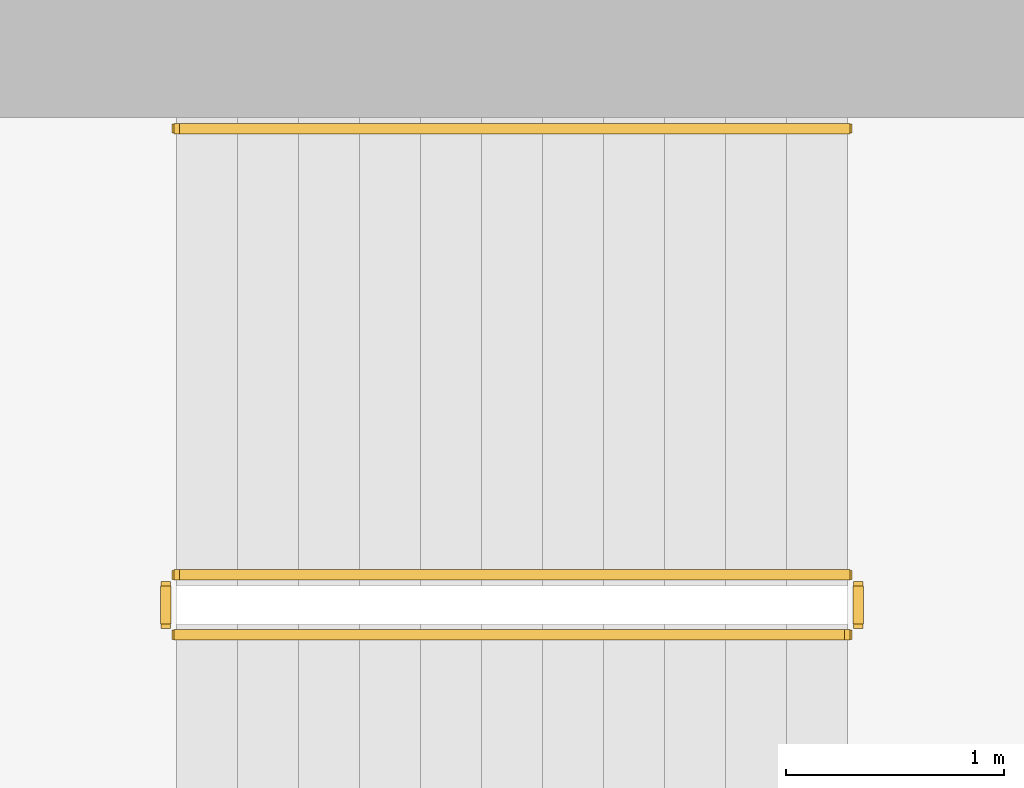
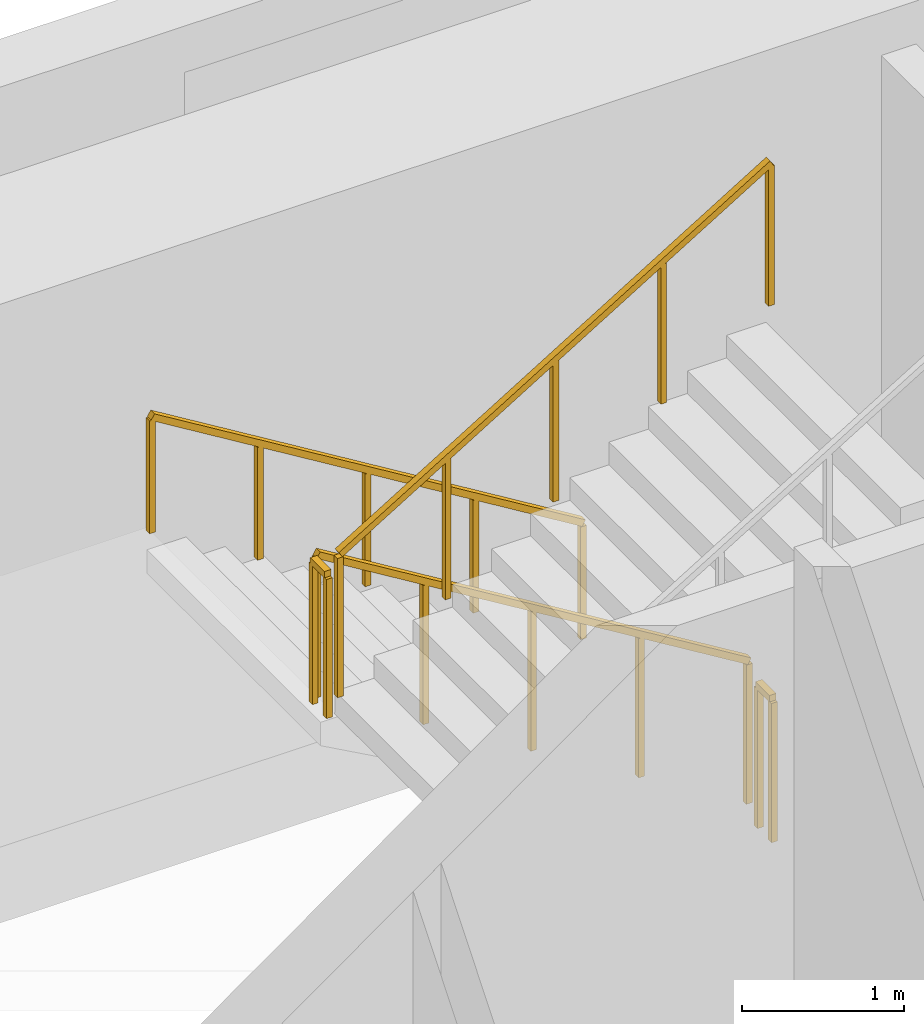
# One storey, part 14 of 15: 5 railings.
"""IFC4 building model written with IfcOpenShell, lengths in metres."""

import ifcopenshell
import ifcopenshell.guid

model = None  # the IFC model being written
_history = None  # IfcOwnerHistory: only IFC2X3 demands one
_inside = {}  # id of a spatial element -> (the spatial element, [elements in it])
_under = {}  # id of a project, library or spatial element -> (it, [spatial elements below it])
_declared = {}  # id of a project -> (the project, [libraries it declares])
_typed = {}  # id of a type object -> (the type object, [elements of that type])
_made_of = {}  # id of a material, layer set ... -> (it, [elements and type objects made of it])


def new_model(schema):
    """Start an empty IFC model of exactly this schema.

    Asked for "IFC4X3", IfcOpenShell would pick the latest addendum, in which some entities
    have other attributes; the version numbers below select the first issue.
    IFC2X3 requires an IfcOwnerHistory on every rooted entity: one is made here for all.
    """
    global model, _history
    if schema == "IFC4X3":
        model = ifcopenshell.file(schema_version=(4, 3, 0, 0))
    else:
        model = ifcopenshell.file(schema=schema)
    _inside.clear()
    _under.clear()
    _declared.clear()
    _typed.clear()
    _made_of.clear()
    _history = None
    if model.schema == "IFC2X3":
        org = make("IfcOrganization", Name="unknown")
        user = make(
            "IfcPersonAndOrganization",
            ThePerson=make("IfcPerson", FamilyName="unknown"),
            TheOrganization=org,
        )
        app = make(
            "IfcApplication",
            ApplicationDeveloper=org,
            Version="unknown",
            ApplicationFullName="unknown",
            ApplicationIdentifier="unknown",
        )
        _history = make(
            "IfcOwnerHistory",
            OwningUser=user,
            OwningApplication=app,
            ChangeAction="ADDED",
            CreationDate=0,
        )
    return model


def make(cls, **values):
    """One entity of the class cls with the attributes given. An attribute that is None is left unset."""
    return model.create_entity(
        cls, **{name: value for name, value in values.items() if value is not None}
    )


def rooted(cls, **values):
    """An entity with a GlobalId (a new one), such as an element, a storey or a relation."""
    return make(cls, GlobalId=ifcopenshell.guid.new(), OwnerHistory=_history, **values)


def si_unit(unit_type, name, prefix=None):
    """IfcSIUnit, for example si_unit("LENGTHUNIT", "METRE", prefix="MILLI")."""
    return make("IfcSIUnit", UnitType=unit_type, Prefix=prefix, Name=name)


def assignment(units):
    """IfcUnitAssignment: the units of a project."""
    return None if units is None else make("IfcUnitAssignment", Units=units)


def point(xyz):
    """IfcCartesianPoint."""
    return None if xyz is None else make("IfcCartesianPoint", Coordinates=xyz)


def direction(xyz):
    """IfcDirection."""
    return None if xyz is None else make("IfcDirection", DirectionRatios=xyz)


def frame(location, z_axis=None, x_axis=None):
    """IfcAxis2Placement3D, a coordinate frame: its origin and axes. An axis left out is left unset."""
    return make(
        "IfcAxis2Placement3D",
        Location=point(location),
        Axis=direction(z_axis),
        RefDirection=direction(x_axis),
    )


def frame_2d(location, x_axis=None):
    """IfcAxis2Placement2D, a coordinate frame in the plane: its origin and x axis."""
    return make(
        "IfcAxis2Placement2D", Location=point(location), RefDirection=direction(x_axis)
    )


def origin():
    """The frame at (0, 0, 0) with its axes left unset."""
    return frame((0.0, 0.0, 0.0))


def origin_2d():
    """The frame at (0, 0) in the plane with its x axis left unset."""
    return frame_2d((0.0, 0.0))


def place(relative_to, where):
    """IfcLocalPlacement: puts the frame where relative to a parent placement (None: the world)."""
    return make(
        "IfcLocalPlacement", PlacementRelTo=relative_to, RelativePlacement=where
    )


def context(
    kind, dimensions, precision=None, world=None, true_north=None, identifier=None
):
    """IfcGeometricRepresentationContext, for example the 3D "Model" context."""
    return make(
        "IfcGeometricRepresentationContext",
        ContextIdentifier=identifier,
        ContextType=kind,
        CoordinateSpaceDimension=dimensions,
        Precision=precision,
        WorldCoordinateSystem=world,
        TrueNorth=true_north,
    )


def subcontext(parent, identifier, kind, view, scale=None):
    """IfcGeometricRepresentationSubContext, for example "Body" below "Model"."""
    return make(
        "IfcGeometricRepresentationSubContext",
        ContextIdentifier=identifier,
        ContextType=kind,
        ParentContext=parent,
        TargetScale=scale,
        TargetView=view,
    )


def project(units=None, contexts=None):
    """IfcProject with its units and contexts."""
    return rooted(
        "IfcProject",
        Name="project",
        RepresentationContexts=contexts,
        UnitsInContext=assignment(units),
    )


def spatial(cls, under=None, at=None, **own):
    """A site, building, storey or space (cls), placed at a placement, below another one or the project."""
    s = rooted(cls, ObjectPlacement=at, **own)
    if under is not None:
        _under.setdefault(under.id(), (under, []))[1].append(s)
    return s


def profile(cls, at=None, kind="AREA", **sizes):
    """A parametric profile (cls). Its sizes go by their IFC names, for example OverallWidth=200.0."""
    return make(cls, ProfileType=kind, Position=at, **sizes)


def rectangle(**sizes):
    """IfcRectangleProfileDef."""
    return profile("IfcRectangleProfileDef", **sizes)


def extrude(swept, where, along, depth):
    """IfcExtrudedAreaSolid: the profile swept, set in the frame where, extruded along a direction by depth."""
    return make(
        "IfcExtrudedAreaSolid",
        SweptArea=swept,
        Position=where,
        ExtrudedDirection=direction(along),
        Depth=depth,
    )


def shape(context_of_items, identifier, shape_type, items):
    """IfcShapeRepresentation: the items that make up one representation, for example the "Body"."""
    return make(
        "IfcShapeRepresentation",
        ContextOfItems=context_of_items,
        RepresentationIdentifier=identifier,
        RepresentationType=shape_type,
        Items=items,
    )


def material(Name=None, Category=None):
    """IfcMaterial."""
    return make("IfcMaterial", Name=Name, Category=Category)


def made_of(thing, what):
    """Note that an element or type object is made of a material, layer set ...; save() writes the relation."""
    if what is not None:
        _made_of.setdefault(what.id(), (what, []))[1].append(thing)
    return thing


def type_object(cls, material=None, **own):
    """A type object (cls), such as IfcWallType, which elements share."""
    return made_of(rooted(cls, **own), material)


def element(
    cls,
    number,
    at=None,
    inside=None,
    cuts=None,
    type_object=None,
    material=None,
    context=None,
    identifier="Body",
    shape_type=None,
    held_by="IfcProductDefinitionShape",
    body=None,
    shapes=None,
    **own,
):
    """One element of the class cls, such as IfcWall. Its Tag is "e" and its number.

    at: its placement. inside: the storey or other place that contains it. cuts: it is an
    opening in that element (IfcRelVoidsElement). A single representation is given by context,
    identifier, shape_type and body (its items); several are given by shapes. held_by: the class
    of the entity that holds the representations. save() writes the other relations.
    """
    e = rooted(cls, Tag="e%d" % number, ObjectPlacement=at, **own)
    if body is not None:
        shapes = [shape(context, identifier, shape_type, body)]
    if shapes is not None:
        e.Representation = make(held_by, Representations=shapes)
    if inside is not None:
        _inside.setdefault(inside.id(), (inside, []))[1].append(e)
    if cuts is not None:
        rooted(
            "IfcRelVoidsElement", RelatingBuildingElement=cuts, RelatedOpeningElement=e
        )
    if type_object is not None:
        _typed.setdefault(type_object.id(), (type_object, []))[1].append(e)
    return made_of(e, material)


def aggregate(whole, parts):
    """IfcRelAggregates: a whole, such as a stair, and the parts it consists of."""
    return rooted("IfcRelAggregates", RelatingObject=whole, RelatedObjects=parts)


def save(model, path):
    """Write the relations noted so far, then the file.

    IfcRelAggregates (storeys below a building ...), IfcRelContainedInSpatialStructure (elements
    in a storey), IfcRelDefinesByType, IfcRelAssociatesMaterial and IfcRelDeclares: one each for
    every whole, place, type object, material and project.
    """
    for whole, parts in _under.values():
        aggregate(whole, parts)
    for where, things in _inside.values():
        rooted(
            "IfcRelContainedInSpatialStructure",
            RelatedElements=things,
            RelatingStructure=where,
        )
    for kind, things in _typed.values():
        rooted("IfcRelDefinesByType", RelatedObjects=things, RelatingType=kind)
    for what, things in _made_of.values():
        rooted("IfcRelAssociatesMaterial", RelatedObjects=things, RelatingMaterial=what)
    for by, libraries in _declared.values():
        rooted("IfcRelDeclares", RelatingContext=by, RelatedDefinitions=libraries)
    model.write(path)


model = new_model("IFC4")

# Units and contexts
model_context = context("Model", 3, precision=1e-05, world=origin(), true_north=direction((0.0, 1.0)))
body_context = subcontext(model_context, "Body", "Model", "MODEL_VIEW")
ifc_project = project(units=[si_unit("LENGTHUNIT", "METRE"), si_unit("AREAUNIT", "SQUARE_METRE"), si_unit("VOLUMEUNIT", "CUBIC_METRE"), si_unit("PLANEANGLEUNIT", "RADIAN"), si_unit("MASSUNIT", "GRAM", prefix="KILO")], contexts=[model_context])

# Site, building, storey
site_placement = place(None, origin())
site = spatial("IfcSite", under=ifc_project, at=site_placement, CompositionType="ELEMENT")
building_placement = place(site_placement, origin())
building = spatial("IfcBuilding", under=site, at=building_placement, Name="Cypress Arch Tower", CompositionType="ELEMENT")
storey_placement = place(building_placement, frame((0.0, 0.0, 317.199951171875)))
storey = spatial("IfcBuildingStorey", under=building, at=storey_placement, Name="L72", CompositionType="ELEMENT", Elevation=317.199951171875)

# Railings
ifc_material_1 = material(Name="Black powder-coated steel square bar 48 mm", Category="steel")
railing_type_1 = type_object("IfcRailingType", Name="Stair handrail HR1", PredefinedType="HANDRAIL", material=ifc_material_1)
railing_1_placement = place(storey_placement, frame((-22.27490234375, 14.75, 0.1708984375)))
element("IfcRailing", 1, at=railing_1_placement, inside=storey, type_object=railing_type_1, Name="L72 B stair handrail 1", PredefinedType="HANDRAIL", context=body_context, shape_type="SweptSolid", body=[
    extrude(rectangle(XDim=0.048095703125, YDim=0.048095703125, at=origin_2d()), frame((0.0, 0.0, 0.8759765625), z_axis=(-0.853666305674, 0.0, 0.52082035152), x_axis=(0.0, -1.0, 0.0)), (0.0, 0.0, 1.0), 3.608154296875),
    extrude(rectangle(XDim=0.0419921875, YDim=0.0419921875, at=origin_2d()), origin(), (0.0, 0.0, 1.0), 0.851806640625),
    extrude(rectangle(XDim=0.0419921875, YDim=0.0419921875, at=origin_2d()), frame((-0.77001953125, 0.0, 0.4697265625)), (0.0, 0.0, 1.0), 0.851806640625),
    extrude(rectangle(XDim=0.0419921875, YDim=0.0419921875, at=origin_2d()), frame((-1.5400390625, 0.0, 0.939453125)), (0.0, 0.0, 1.0), 0.851806640625),
    extrude(rectangle(XDim=0.0419921875, YDim=0.0419921875, at=origin_2d()), frame((-2.31005859375, 0.0, 1.409423828125)), (0.0, 0.0, 1.0), 0.851806640625),
    extrude(rectangle(XDim=0.0419921875, YDim=0.0419921875, at=origin_2d()), frame((-3.080078125, 0.0, 1.879150390625)), (0.0, 0.0, 1.0), 0.851806640625),
])
ifc_material_2 = material(Name="Black powder-coated steel balusters", Category="steel")
railing_type_2 = type_object("IfcRailingType", Name="Stair well guard G1", PredefinedType="GUARDRAIL", material=ifc_material_2)
railing_2_placement = place(storey_placement, frame((-22.27490234375, 12.699951171875, 0.1708984375)))
element("IfcRailing", 2, at=railing_2_placement, inside=storey, type_object=railing_type_2, Name="L72 B stair guard 1", PredefinedType="GUARDRAIL", context=body_context, shape_type="SweptSolid", body=[
    extrude(rectangle(XDim=0.048095703125, YDim=0.048095703125, at=origin_2d()), frame((0.0, 0.0, 1.076171875), z_axis=(-0.853666305674, 0.0, 0.52082035152), x_axis=(0.0, -1.0, 0.0)), (0.0, 0.0, 1.0), 3.608154296875),
    extrude(rectangle(XDim=0.0419921875, YDim=0.0419921875, at=origin_2d()), origin(), (0.0, 0.0, 1.0), 1.052001953125),
    extrude(rectangle(XDim=0.0419921875, YDim=0.0419921875, at=origin_2d()), frame((-0.77001953125, 0.0, 0.4697265625)), (0.0, 0.0, 1.0), 1.052001953125),
    extrude(rectangle(XDim=0.0419921875, YDim=0.0419921875, at=origin_2d()), frame((-1.5400390625, 0.0, 0.939453125)), (0.0, 0.0, 1.0), 1.052001953125),
    extrude(rectangle(XDim=0.0419921875, YDim=0.0419921875, at=origin_2d()), frame((-2.31005859375, 0.0, 1.409423828125)), (0.0, 0.0, 1.0), 1.052001953125),
    extrude(rectangle(XDim=0.0419921875, YDim=0.0419921875, at=origin_2d()), frame((-3.080078125, 0.0, 1.879150390625)), (0.0, 0.0, 1.0), 1.052001953125),
])
railing_3_placement = place(storey_placement, frame((-25.405029296875, 12.64990234375, 2.050048828125)))
element("IfcRailing", 3, at=railing_3_placement, inside=storey, type_object=railing_type_2, Name="L72 B stair guard 2", PredefinedType="GUARDRAIL", context=body_context, shape_type="SweptSolid", body=[
    extrude(rectangle(XDim=0.048095703125, YDim=0.048095703125, at=origin_2d()), frame((0.0, 0.0, 1.076171875), z_axis=(0.0, -1.0, 0.0), x_axis=(1.0, 0.0, 0.0)), (0.0, 0.0, 1.0), 0.1748046875),
    extrude(rectangle(XDim=0.0419921875, YDim=0.0419921875, at=origin_2d()), origin(), (0.0, 0.0, 1.0), 1.052001953125),
    extrude(rectangle(XDim=0.0419921875, YDim=0.0419921875, at=origin_2d()), frame((0.0, -0.1748046875, 0.0)), (0.0, 0.0, 1.0), 1.052001953125),
])
railing_4_placement = place(storey_placement, frame((-25.35498046875, 12.425048828125, 2.220947265625)))
element("IfcRailing", 4, at=railing_4_placement, inside=storey, type_object=railing_type_2, Name="L72 B stair guard 3", PredefinedType="GUARDRAIL", context=body_context, shape_type="SweptSolid", body=[
    extrude(rectangle(XDim=0.048095703125, YDim=0.048095703125, at=origin_2d()), frame((0.0, 0.0, 1.076171875), z_axis=(0.853666305674, 0.0, 0.52082035152), x_axis=(0.0, 1.0, 0.0)), (0.0, 0.0, 1.0), 3.608154296875),
    extrude(rectangle(XDim=0.0419921875, YDim=0.0419921875, at=origin_2d()), origin(), (0.0, 0.0, 1.0), 1.052001953125),
    extrude(rectangle(XDim=0.0419921875, YDim=0.0419921875, at=origin_2d()), frame((0.77001953125, 0.0, 0.4697265625)), (0.0, 0.0, 1.0), 1.052001953125),
    extrude(rectangle(XDim=0.0419921875, YDim=0.0419921875, at=origin_2d()), frame((1.5400390625, 0.0, 0.939453125)), (0.0, 0.0, 1.0), 1.052001953125),
    extrude(rectangle(XDim=0.0419921875, YDim=0.0419921875, at=origin_2d()), frame((2.31005859375, 0.0, 1.409423828125)), (0.0, 0.0, 1.0), 1.052001953125),
    extrude(rectangle(XDim=0.0419921875, YDim=0.0419921875, at=origin_2d()), frame((3.080078125, 0.0, 1.879150390625)), (0.0, 0.0, 1.0), 1.052001953125),
])
railing_5_placement = place(storey_placement, frame((-22.22509765625, 12.64990234375, 0.0)))
element("IfcRailing", 5, at=railing_5_placement, inside=storey, type_object=railing_type_2, Name="L72 B stair guard 4", PredefinedType="GUARDRAIL", context=body_context, shape_type="SweptSolid", body=[
    extrude(rectangle(XDim=0.048095703125, YDim=0.048095703125, at=origin_2d()), frame((0.0, 0.0, 1.076171875), z_axis=(0.0, -1.0, 0.0), x_axis=(1.0, 0.0, 0.0)), (0.0, 0.0, 1.0), 0.1748046875),
    extrude(rectangle(XDim=0.0419921875, YDim=0.0419921875, at=origin_2d()), origin(), (0.0, 0.0, 1.0), 1.052001953125),
    extrude(rectangle(XDim=0.0419921875, YDim=0.0419921875, at=origin_2d()), frame((0.0, -0.1748046875, 0.0)), (0.0, 0.0, 1.0), 1.052001953125),
])

save(model, "model.ifc")
